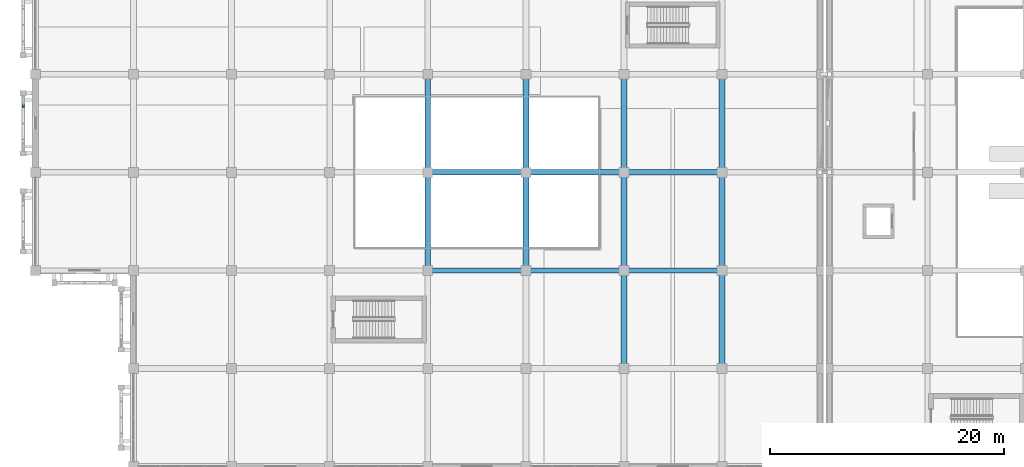
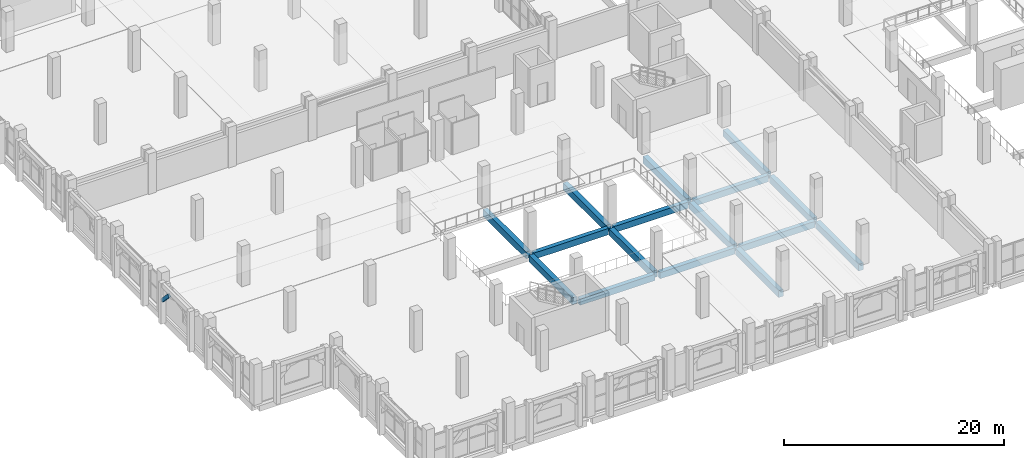
# One storey, part 17 of 137: 16 beams, 1 member.
"""IFC4 building model written with IfcOpenShell, lengths in metres."""

from ifc_helpers import new_model, si_unit, direction, frame, origin, origin_2d, place, context, subcontext, project, spatial, rectangle, extrude, material, material_profile, profile_set, type_object, element, save


model = new_model("IFC4")

# Units and contexts
model_context = context("Model", 3, precision=1e-05, world=origin(), true_north=direction((0.0, 1.0)))
body_context = subcontext(model_context, "Body", "Model", "MODEL_VIEW")
ifc_project = project(units=[si_unit("LENGTHUNIT", "METRE"), si_unit("AREAUNIT", "SQUARE_METRE"), si_unit("VOLUMEUNIT", "CUBIC_METRE"), si_unit("PLANEANGLEUNIT", "RADIAN"), si_unit("MASSUNIT", "GRAM", prefix="KILO")], contexts=[model_context])

# Site, building, storey
site_placement = place(None, origin())
site = spatial("IfcSite", under=ifc_project, at=site_placement, CompositionType="ELEMENT")
building_placement = place(site_placement, origin())
building = spatial("IfcBuilding", under=site, at=building_placement, Name="Xazarin Passage Department Store", CompositionType="ELEMENT")
storey_placement = place(building_placement, frame((0.0, 0.0, 5.39990234375)))
storey = spatial("IfcBuildingStorey", under=building, at=storey_placement, Name="L01", CompositionType="ELEMENT", Elevation=5.39990234375)

# Beams
ifc_material_1 = material(Name="Concrete C35/45", Category="concrete")
ifc_material_profile_1 = material_profile(ifc_material_1, rectangle(XDim=0.449951171875, YDim=0.699951171875, at=origin_2d()), Name="RC 450x700")
ifc_profile_set_1 = profile_set([ifc_material_profile_1], Name="Concrete C35/45")
beam_type_1 = type_object("IfcBeamType", Name="STR-BM-G450x700", PredefinedType="BEAM", material=ifc_profile_set_1)
for number, where, z_axis, x_axis, name in (
    (1, (33.8798828125, 16.800048828125, -0.669921875), (1.0, 0.0, 0.0), (0.0, 1.0, 0.0), "L01 Grid Beam C/5-6"),
    (2, (42.280029296875, 16.800048828125, -0.669921875), (1.0, 0.0, 0.0), (0.0, 1.0, 0.0), "L01 Grid Beam C/6-7"),
    (3, (50.679931640625, 16.800048828125, -0.669921875), (1.0, 0.0, 0.0), (0.0, 1.0, 0.0), "L01 Grid Beam C/7-8"),
    (4, (33.8798828125, 25.199951171875, -0.669921875), (1.0, 0.0, 0.0), (0.0, 1.0, 0.0), "L01 Grid Beam D/5-6"),
    (5, (42.280029296875, 25.199951171875, -0.669921875), (1.0, 0.0, 0.0), (0.0, 1.0, 0.0), "L01 Grid Beam D/6-7"),
    (6, (50.679931640625, 25.199951171875, -0.669921875), (1.0, 0.0, 0.0), (0.0, 1.0, 0.0), "L01 Grid Beam D/7-8"),
):
    element("IfcBeam", number, at=place(storey_placement, frame(where, z_axis=z_axis, x_axis=x_axis)), inside=storey, type_object=beam_type_1, Name=name, PredefinedType="BEAM", context=body_context, shape_type="SweptSolid", body=[
        extrude(rectangle(XDim=0.449951171875, YDim=0.699951171875, at=origin_2d()), origin(), (0.0, 0.0, 1.0), 7.840087890625),
    ])
ifc_material_profile_2 = material_profile(ifc_material_1, rectangle(XDim=0.5, YDim=0.75, at=origin_2d()), Name="RC 500x750")
ifc_profile_set_2 = profile_set([ifc_material_profile_2], Name="Concrete C35/45")
beam_type_2 = type_object("IfcBeamType", Name="STR-BM-SP500x750", PredefinedType="SPANDREL", material=ifc_profile_set_2)
beam_1_placement = place(storey_placement, frame((33.60009765625, 17.080078125, -0.69482421875), z_axis=(0.0, 1.0, 0.0), x_axis=(-1.0, 0.0, 0.0)))
element("IfcBeam", 7, at=beam_1_placement, inside=storey, type_object=beam_type_2, Name="L01 Grid Beam 5/C-D", PredefinedType="SPANDREL", context=body_context, shape_type="SweptSolid", body=[
    extrude(rectangle(XDim=0.5, YDim=0.75, at=origin_2d()), origin(), (0.0, 0.0, 1.0), 7.83984375),
])
beam_2_placement = place(storey_placement, frame((33.60009765625, 25.47998046875, -0.69482421875), z_axis=(0.0, 1.0, 0.0), x_axis=(-1.0, 0.0, 0.0)))
element("IfcBeam", 8, at=beam_2_placement, inside=storey, type_object=beam_type_2, Name="L01 Grid Beam 5/D-E", PredefinedType="SPANDREL", context=body_context, shape_type="SweptSolid", body=[
    extrude(rectangle(XDim=0.5, YDim=0.75, at=origin_2d()), origin(), (0.0, 0.0, 1.0), 7.840087890625),
])
beam_3_placement = place(storey_placement, frame((42.0, 17.080078125, -0.69482421875), z_axis=(0.0, 1.0, 0.0), x_axis=(-1.0, 0.0, 0.0)))
element("IfcBeam", 9, at=beam_3_placement, inside=storey, type_object=beam_type_2, Name="L01 Grid Beam 6/C-D", PredefinedType="SPANDREL", context=body_context, shape_type="SweptSolid", body=[
    extrude(rectangle(XDim=0.5, YDim=0.75, at=origin_2d()), origin(), (0.0, 0.0, 1.0), 7.83984375),
])
for number, where, z_axis, x_axis, name in (
    (10, (42.0, 25.47998046875, -0.69482421875), (0.0, 1.0, 0.0), (-1.0, 0.0, 0.0), "L01 Grid Beam 6/D-E"),
    (11, (50.39990234375, 8.679931640625, -0.69482421875), (0.0, 1.0, 0.0), (-1.0, 0.0, 0.0), "L01 Grid Beam 7/B-C"),
):
    element("IfcBeam", number, at=place(storey_placement, frame(where, z_axis=z_axis, x_axis=x_axis)), inside=storey, type_object=beam_type_2, Name=name, PredefinedType="SPANDREL", context=body_context, shape_type="SweptSolid", body=[
        extrude(rectangle(XDim=0.5, YDim=0.75, at=origin_2d()), origin(), (0.0, 0.0, 1.0), 7.840087890625),
    ])
beam_4_placement = place(storey_placement, frame((50.39990234375, 17.080078125, -0.69482421875), z_axis=(0.0, 1.0, 0.0), x_axis=(-1.0, 0.0, 0.0)))
element("IfcBeam", 12, at=beam_4_placement, inside=storey, type_object=beam_type_2, Name="L01 Grid Beam 7/C-D", PredefinedType="SPANDREL", context=body_context, shape_type="SweptSolid", body=[
    extrude(rectangle(XDim=0.5, YDim=0.75, at=origin_2d()), origin(), (0.0, 0.0, 1.0), 7.83984375),
])
for number, where, z_axis, x_axis, name in (
    (13, (50.39990234375, 25.47998046875, -0.69482421875), (0.0, 1.0, 0.0), (-1.0, 0.0, 0.0), "L01 Grid Beam 7/D-E"),
    (14, (58.800048828125, 8.679931640625, -0.69482421875), (0.0, 1.0, 0.0), (-1.0, 0.0, 0.0), "L01 Grid Beam 8/B-C"),
):
    element("IfcBeam", number, at=place(storey_placement, frame(where, z_axis=z_axis, x_axis=x_axis)), inside=storey, type_object=beam_type_2, Name=name, PredefinedType="SPANDREL", context=body_context, shape_type="SweptSolid", body=[
        extrude(rectangle(XDim=0.5, YDim=0.75, at=origin_2d()), origin(), (0.0, 0.0, 1.0), 7.840087890625),
    ])
beam_5_placement = place(storey_placement, frame((58.800048828125, 17.080078125, -0.69482421875), z_axis=(0.0, 1.0, 0.0), x_axis=(-1.0, 0.0, 0.0)))
element("IfcBeam", 15, at=beam_5_placement, inside=storey, type_object=beam_type_2, Name="L01 Grid Beam 8/C-D", PredefinedType="SPANDREL", context=body_context, shape_type="SweptSolid", body=[
    extrude(rectangle(XDim=0.5, YDim=0.75, at=origin_2d()), origin(), (0.0, 0.0, 1.0), 7.83984375),
])
beam_6_placement = place(storey_placement, frame((58.800048828125, 25.47998046875, -0.69482421875), z_axis=(0.0, 1.0, 0.0), x_axis=(-1.0, 0.0, 0.0)))
element("IfcBeam", 16, at=beam_6_placement, inside=storey, type_object=beam_type_2, Name="L01 Grid Beam 8/D-E", PredefinedType="SPANDREL", context=body_context, shape_type="SweptSolid", body=[
    extrude(rectangle(XDim=0.5, YDim=0.75, at=origin_2d()), origin(), (0.0, 0.0, 1.0), 7.840087890625),
])

# Member
ifc_material_2 = material(Name="Concrete C40/50", Category="concrete")
ifc_material_profile_3 = material_profile(ifc_material_2, rectangle(XDim=0.199951171875, YDim=0.360107421875, at=origin_2d()), Name="RC 200x360")
ifc_profile_set_3 = profile_set([ifc_material_profile_3], Name="Concrete C40/50")
member_type = type_object("IfcMemberType", Name="STR-MEM-ARC360", PredefinedType="CHORD", material=ifc_profile_set_3)
member_placement = place(storey_placement, frame((-1.050048828125, 30.68994140625, 3.7705078125), z_axis=(0.0, 0.693460080602, -0.720495049679), x_axis=(-1.0, 0.0, 0.0)))
element("IfcMember", 17, at=member_placement, inside=storey, type_object=member_type, Name="L01 V3 Pierced Lattice Curved Arch 035.4", PredefinedType="CHORD", context=body_context, shape_type="SweptSolid", body=[
    extrude(rectangle(XDim=0.199951171875, YDim=0.360107421875, at=origin_2d()), origin(), (0.0, 0.0, 1.0), 1.8603515625),
])

save(model, "model.ifc")
